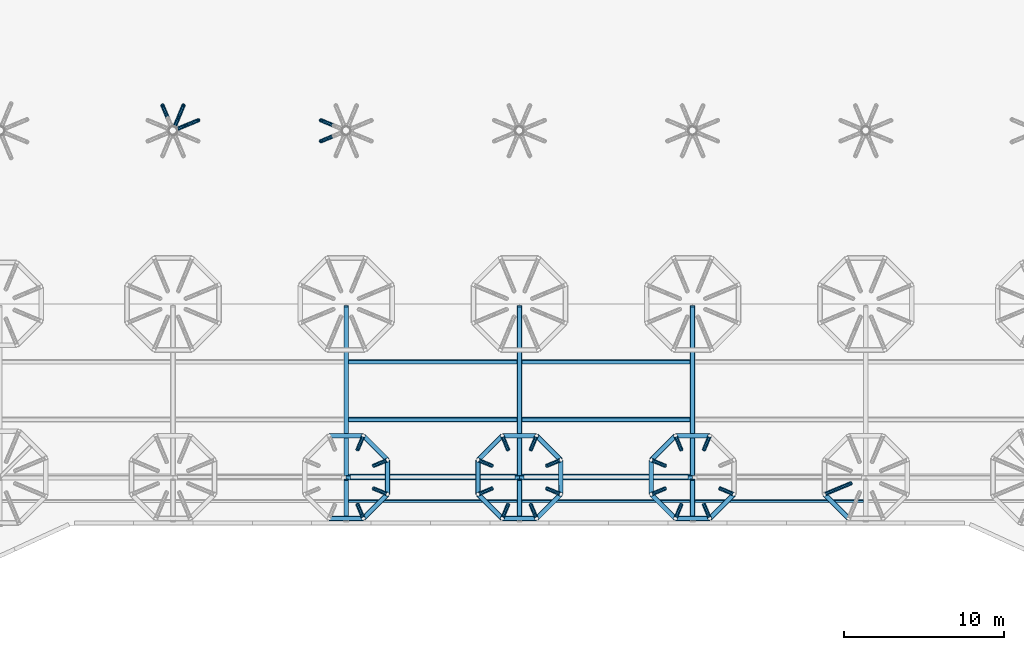
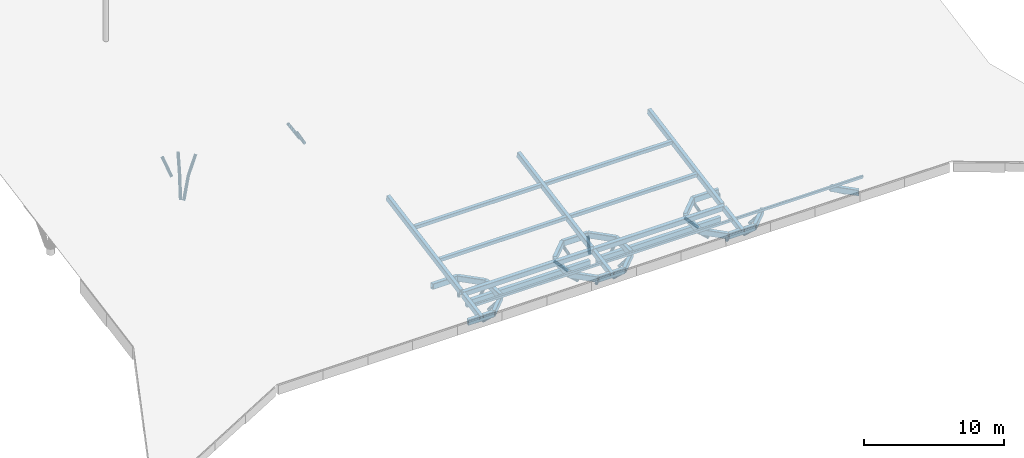
# One storey, part 8 of 56: 37 beams, 27 members.
"""IFC4 building model written with IfcOpenShell, lengths in metres."""

from ifc_helpers import new_model, si_unit, direction, frame, origin, origin_2d, place, context, subcontext, project, spatial, rectangle, hollow_rectangle, hollow_circle, extrude, clip, halfspace, material, material_profile, profile_set, type_object, element, save


model = new_model("IFC4")

# Units and contexts
model_context = context("Model", 3, precision=1e-05, world=origin(), true_north=direction((0.0, 1.0)))
body_context = subcontext(model_context, "Body", "Model", "MODEL_VIEW")
ifc_project = project(units=[si_unit("LENGTHUNIT", "METRE"), si_unit("AREAUNIT", "SQUARE_METRE"), si_unit("VOLUMEUNIT", "CUBIC_METRE"), si_unit("PLANEANGLEUNIT", "RADIAN"), si_unit("MASSUNIT", "GRAM", prefix="KILO")], contexts=[model_context])

# Site, building, storey
site_placement = place(None, origin())
site = spatial("IfcSite", under=ifc_project, at=site_placement, CompositionType="ELEMENT")
building_placement = place(site_placement, origin())
building = spatial("IfcBuilding", under=site, at=building_placement, Name="Magnolia Steps Interchange", CompositionType="ELEMENT")
storey_placement = place(building_placement, frame((0.0, 0.0, 8.699951171875)))
storey = spatial("IfcBuildingStorey", under=building, at=storey_placement, Name="L02", CompositionType="ELEMENT", Elevation=8.699951171875)

# Beams
ifc_material_1 = material(Name="Concrete C40", Category="concrete")
ifc_material_profile_1 = material_profile(ifc_material_1, rectangle(XDim=0.300048828125, YDim=0.550048828125, at=origin_2d()), Name="RC300x550")
ifc_profile_set_1 = profile_set([ifc_material_profile_1], Name="Concrete C40")
beam_type_1 = type_object("IfcBeamType", Name="Hall header sill beam 300x550", PredefinedType="BEAM", material=ifc_profile_set_1)
beam_1_placement = place(storey_placement, frame((75.080078125, 42.39990234375, 1.02392578125), z_axis=(1.0, 0.0, 0.0), x_axis=(0.0, 1.0, 0.0)))
element("IfcBeam", 1, at=beam_1_placement, inside=storey, type_object=beam_type_1, Name="Hall header sill beam S3", PredefinedType="BEAM", context=body_context, shape_type="SweptSolid", body=[
    extrude(rectangle(XDim=0.300048828125, YDim=0.550048828125, at=origin_2d()), origin(), (0.0, 0.0, 1.0), 10.239990234375),
])
beam_2_placement = place(storey_placement, frame((85.8798828125, 42.39990234375, 1.02392578125), z_axis=(1.0, 0.0, 0.0), x_axis=(0.0, 1.0, 0.0)))
element("IfcBeam", 2, at=beam_2_placement, inside=storey, type_object=beam_type_1, Name="Hall header sill beam S4", PredefinedType="BEAM", context=body_context, shape_type="SweptSolid", body=[
    extrude(rectangle(XDim=0.300048828125, YDim=0.550048828125, at=origin_2d()), origin(), (0.0, 0.0, 1.0), 10.240234375),
])
ifc_material_2 = material(Name="Steel Q355B", Category="steel")
ifc_material_profile_2 = material_profile(ifc_material_2, hollow_rectangle(XDim=0.300048828125, YDim=0.5, WallThickness=0.01611328125, InnerFilletRadius=0.01611328125, OuterFilletRadius=0.031982421875, at=origin_2d()), Name="RHS500x300x16")
ifc_profile_set_2 = profile_set([ifc_material_profile_2], Name="Steel Q355B")
beam_type_2 = type_object("IfcBeamType", Name="Ring beam RHS500x300x16", PredefinedType="BEAM", material=ifc_profile_set_2)
beam_3_placement = place(storey_placement, frame((77.3798828125, 43.46875, 1.44873046875), z_axis=(-0.707106781187, 0.707106781187, 0.0), x_axis=(-0.707106781187, -0.707106781187, 0.0)))
element("IfcBeam", 3, at=beam_3_placement, inside=storey, type_object=beam_type_2, Name="Ring beam TH03A", PredefinedType="BEAM", context=body_context, shape_type="Clipping", body=[
    clip(clip(extrude(hollow_rectangle(XDim=0.300048828125, YDim=0.5, WallThickness=0.01611328125, InnerFilletRadius=0.01611328125, OuterFilletRadius=0.031982421875, at=origin_2d()), origin(), (0.0, 0.0, 1.0), 2.13720703125), halfspace(frame((0.0, 0.0, 0.0), z_axis=(0.382683433, 0.0, -0.923879532), x_axis=(0.923879532, 0.0, 0.382683433)), False)), halfspace(frame((0.0, 0.0, 2.137202625), z_axis=(0.382683433, 0.0, 0.923879532), x_axis=(0.923879532, 0.0, -0.382683433)), False)),
])
for number, where, z_axis, x_axis, name in (
    (4, (75.86865234375, 44.97998046875, 1.44873046875), (-1.0, 0.0, 0.0), (0.0, -1.0, 0.0), "Ring beam TH03A"),
    (5, (73.731201171875, 39.820068359375, 1.44873046875), (1.0, 0.0, 0.0), (0.0, 1.0, 0.0), "Ring beam TH03A"),
):
    element("IfcBeam", number, at=place(storey_placement, frame(where, z_axis=z_axis, x_axis=x_axis)), inside=storey, type_object=beam_type_2, Name=name, PredefinedType="BEAM", context=body_context, shape_type="Clipping", body=[
        clip(clip(extrude(hollow_rectangle(XDim=0.300048828125, YDim=0.5, WallThickness=0.01611328125, InnerFilletRadius=0.01611328125, OuterFilletRadius=0.031982421875, at=origin_2d()), origin(), (0.0, 0.0, 1.0), 2.137451171875), halfspace(frame((0.0, 0.0, 0.0), z_axis=(0.382683432, 0.0, -0.923879533), x_axis=(0.923879533, 0.0, 0.382683432)), False)), halfspace(frame((0.0, 0.0, 2.137451172), z_axis=(0.382683432, 0.0, 0.923879533), x_axis=(0.923879533, 0.0, -0.382683432)), False)),
    ])
beam_4_placement = place(storey_placement, frame((75.86865234375, 39.820068359375, 1.44873046875), z_axis=(0.707106781187, 0.707106781187, 0.0), x_axis=(-0.707106781187, 0.707106781187, 0.0)))
element("IfcBeam", 6, at=beam_4_placement, inside=storey, type_object=beam_type_2, Name="Ring beam TH03A", PredefinedType="BEAM", context=body_context, shape_type="Clipping", body=[
    clip(clip(extrude(hollow_rectangle(XDim=0.300048828125, YDim=0.5, WallThickness=0.01611328125, InnerFilletRadius=0.01611328125, OuterFilletRadius=0.031982421875, at=origin_2d()), origin(), (0.0, 0.0, 1.0), 2.13720703125), halfspace(frame((0.0, 0.0, 0.0), z_axis=(0.382683433, 0.0, -0.923879532), x_axis=(0.923879532, 0.0, 0.382683433)), False)), halfspace(frame((0.0, 0.0, 2.137202625), z_axis=(0.382683433, 0.0, 0.923879532), x_axis=(0.923879532, 0.0, -0.382683433)), False)),
])
beam_5_placement = place(storey_placement, frame((77.3798828125, 41.331298828125, 1.44873046875), z_axis=(0.0, 1.0, 0.0), x_axis=(-1.0, 0.0, 0.0)))
element("IfcBeam", 7, at=beam_5_placement, inside=storey, type_object=beam_type_2, Name="Ring beam TH03A", PredefinedType="BEAM", context=body_context, shape_type="Clipping", body=[
    clip(clip(extrude(hollow_rectangle(XDim=0.300048828125, YDim=0.5, WallThickness=0.01611328125, InnerFilletRadius=0.01611328125, OuterFilletRadius=0.031982421875, at=origin_2d()), origin(), (0.0, 0.0, 1.0), 2.137451171875), halfspace(frame((0.0, 0.0, 0.0), z_axis=(0.382683432, 0.0, -0.923879533), x_axis=(0.923879533, 0.0, 0.382683432)), False)), halfspace(frame((0.0, 0.0, 2.137451172), z_axis=(0.382683432, 0.0, 0.923879533), x_axis=(0.923879533, 0.0, -0.382683432)), False)),
])
beam_6_placement = place(storey_placement, frame((88.179931640625, 43.46875, 1.44873046875), z_axis=(-0.707106781187, 0.707106781187, 0.0), x_axis=(-0.707106781187, -0.707106781187, 0.0)))
element("IfcBeam", 8, at=beam_6_placement, inside=storey, type_object=beam_type_2, Name="Ring beam TH04A", PredefinedType="BEAM", context=body_context, shape_type="Clipping", body=[
    clip(clip(extrude(hollow_rectangle(XDim=0.300048828125, YDim=0.5, WallThickness=0.01611328125, InnerFilletRadius=0.01611328125, OuterFilletRadius=0.031982421875, at=origin_2d()), origin(), (0.0, 0.0, 1.0), 2.13720703125), halfspace(frame((0.0, 0.0, 0.0), z_axis=(0.382683433, 0.0, -0.923879532), x_axis=(0.923879532, 0.0, 0.382683433)), False)), halfspace(frame((0.0, 0.0, 2.137202625), z_axis=(0.382683433, 0.0, 0.923879532), x_axis=(0.923879532, 0.0, -0.382683433)), False)),
])
beam_7_placement = place(storey_placement, frame((86.668701171875, 44.97998046875, 1.44873046875), z_axis=(-1.0, 0.0, 0.0), x_axis=(0.0, -1.0, 0.0)))
element("IfcBeam", 9, at=beam_7_placement, inside=storey, type_object=beam_type_2, Name="Ring beam TH04A", PredefinedType="BEAM", context=body_context, shape_type="Clipping", body=[
    clip(clip(extrude(hollow_rectangle(XDim=0.300048828125, YDim=0.5, WallThickness=0.01611328125, InnerFilletRadius=0.01611328125, OuterFilletRadius=0.031982421875, at=origin_2d()), origin(), (0.0, 0.0, 1.0), 2.137451171875), halfspace(frame((0.0, 0.0, 0.0), z_axis=(0.382683432, 0.0, -0.923879533), x_axis=(0.923879533, 0.0, 0.382683432)), False)), halfspace(frame((0.0, 0.0, 2.137451172), z_axis=(0.382683432, 0.0, 0.923879533), x_axis=(0.923879533, 0.0, -0.382683432)), False)),
])
beam_8_placement = place(storey_placement, frame((84.53125, 44.97998046875, 1.44873046875), z_axis=(-0.707106781187, -0.707106781187, 0.0), x_axis=(0.707106781187, -0.707106781187, 0.0)))
element("IfcBeam", 10, at=beam_8_placement, inside=storey, type_object=beam_type_2, Name="Ring beam TH04A", PredefinedType="BEAM", context=body_context, shape_type="Clipping", body=[
    clip(clip(extrude(hollow_rectangle(XDim=0.300048828125, YDim=0.5, WallThickness=0.01611328125, InnerFilletRadius=0.01611328125, OuterFilletRadius=0.031982421875, at=origin_2d()), origin(), (0.0, 0.0, 1.0), 2.13720703125), halfspace(frame((0.0, 0.0, 0.0), z_axis=(0.382683433, 0.0, -0.923879532), x_axis=(0.923879532, 0.0, 0.382683433)), False)), halfspace(frame((0.0, 0.0, 2.137202625), z_axis=(0.382683433, 0.0, 0.923879532), x_axis=(0.923879532, 0.0, -0.382683433)), False)),
])
beam_9_placement = place(storey_placement, frame((83.02001953125, 43.46875, 1.44873046875), z_axis=(0.0, -1.0, 0.0), x_axis=(1.0, 0.0, 0.0)))
element("IfcBeam", 11, at=beam_9_placement, inside=storey, type_object=beam_type_2, Name="Ring beam TH04A", PredefinedType="BEAM", context=body_context, shape_type="Clipping", body=[
    clip(clip(extrude(hollow_rectangle(XDim=0.300048828125, YDim=0.5, WallThickness=0.01611328125, InnerFilletRadius=0.01611328125, OuterFilletRadius=0.031982421875, at=origin_2d()), origin(), (0.0, 0.0, 1.0), 2.137451171875), halfspace(frame((0.0, 0.0, 0.0), z_axis=(0.382683432, 0.0, -0.923879533), x_axis=(0.923879533, 0.0, 0.382683432)), False)), halfspace(frame((0.0, 0.0, 2.137451172), z_axis=(0.382683432, 0.0, 0.923879533), x_axis=(0.923879533, 0.0, -0.382683432)), False)),
])
beam_10_placement = place(storey_placement, frame((83.02001953125, 41.331298828125, 1.44873046875), z_axis=(0.707106781187, -0.707106781187, 0.0), x_axis=(0.707106781187, 0.707106781187, 0.0)))
element("IfcBeam", 12, at=beam_10_placement, inside=storey, type_object=beam_type_2, Name="Ring beam TH04A", PredefinedType="BEAM", context=body_context, shape_type="Clipping", body=[
    clip(clip(extrude(hollow_rectangle(XDim=0.300048828125, YDim=0.5, WallThickness=0.01611328125, InnerFilletRadius=0.01611328125, OuterFilletRadius=0.031982421875, at=origin_2d()), origin(), (0.0, 0.0, 1.0), 2.13720703125), halfspace(frame((0.0, 0.0, 0.0), z_axis=(0.382683433, 0.0, -0.923879532), x_axis=(0.923879532, 0.0, 0.382683433)), False)), halfspace(frame((0.0, 0.0, 2.137202625), z_axis=(0.382683433, 0.0, 0.923879532), x_axis=(0.923879532, 0.0, -0.382683433)), False)),
])
beam_11_placement = place(storey_placement, frame((84.53125, 39.820068359375, 1.44873046875), z_axis=(1.0, 0.0, 0.0), x_axis=(0.0, 1.0, 0.0)))
element("IfcBeam", 13, at=beam_11_placement, inside=storey, type_object=beam_type_2, Name="Ring beam TH04A", PredefinedType="BEAM", context=body_context, shape_type="Clipping", body=[
    clip(clip(extrude(hollow_rectangle(XDim=0.300048828125, YDim=0.5, WallThickness=0.01611328125, InnerFilletRadius=0.01611328125, OuterFilletRadius=0.031982421875, at=origin_2d()), origin(), (0.0, 0.0, 1.0), 2.137451171875), halfspace(frame((0.0, 0.0, 0.0), z_axis=(0.382683432, 0.0, -0.923879533), x_axis=(0.923879533, 0.0, 0.382683432)), False)), halfspace(frame((0.0, 0.0, 2.137451172), z_axis=(0.382683432, 0.0, 0.923879533), x_axis=(0.923879533, 0.0, -0.382683432)), False)),
])
beam_12_placement = place(storey_placement, frame((86.668701171875, 39.820068359375, 1.44873046875), z_axis=(0.707106781187, 0.707106781187, 0.0), x_axis=(-0.707106781187, 0.707106781187, 0.0)))
element("IfcBeam", 14, at=beam_12_placement, inside=storey, type_object=beam_type_2, Name="Ring beam TH04A", PredefinedType="BEAM", context=body_context, shape_type="Clipping", body=[
    clip(clip(extrude(hollow_rectangle(XDim=0.300048828125, YDim=0.5, WallThickness=0.01611328125, InnerFilletRadius=0.01611328125, OuterFilletRadius=0.031982421875, at=origin_2d()), origin(), (0.0, 0.0, 1.0), 2.13720703125), halfspace(frame((0.0, 0.0, 0.0), z_axis=(0.382683433, 0.0, -0.923879532), x_axis=(0.923879532, 0.0, 0.382683433)), False)), halfspace(frame((0.0, 0.0, 2.137202625), z_axis=(0.382683433, 0.0, 0.923879532), x_axis=(0.923879532, 0.0, -0.382683433)), False)),
])
for number, where, z_axis, x_axis, name in (
    (15, (88.179931640625, 41.331298828125, 1.44873046875), (0.0, 1.0, 0.0), (-1.0, 0.0, 0.0), "Ring beam TH04A"),
    (16, (97.46875, 44.97998046875, 1.44873046875), (-1.0, 0.0, 0.0), (0.0, -1.0, 0.0), "Ring beam TH05A"),
):
    element("IfcBeam", number, at=place(storey_placement, frame(where, z_axis=z_axis, x_axis=x_axis)), inside=storey, type_object=beam_type_2, Name=name, PredefinedType="BEAM", context=body_context, shape_type="Clipping", body=[
        clip(clip(extrude(hollow_rectangle(XDim=0.300048828125, YDim=0.5, WallThickness=0.01611328125, InnerFilletRadius=0.01611328125, OuterFilletRadius=0.031982421875, at=origin_2d()), origin(), (0.0, 0.0, 1.0), 2.137451171875), halfspace(frame((0.0, 0.0, 0.0), z_axis=(0.382683432, 0.0, -0.923879533), x_axis=(0.923879533, 0.0, 0.382683432)), False)), halfspace(frame((0.0, 0.0, 2.137451172), z_axis=(0.382683432, 0.0, 0.923879533), x_axis=(0.923879533, 0.0, -0.382683432)), False)),
    ])
beam_13_placement = place(storey_placement, frame((95.331298828125, 44.97998046875, 1.44873046875), z_axis=(-0.707106781187, -0.707106781187, 0.0), x_axis=(0.707106781187, -0.707106781187, 0.0)))
element("IfcBeam", 17, at=beam_13_placement, inside=storey, type_object=beam_type_2, Name="Ring beam TH05A", PredefinedType="BEAM", context=body_context, shape_type="Clipping", body=[
    clip(clip(extrude(hollow_rectangle(XDim=0.300048828125, YDim=0.5, WallThickness=0.01611328125, InnerFilletRadius=0.01611328125, OuterFilletRadius=0.031982421875, at=origin_2d()), origin(), (0.0, 0.0, 1.0), 2.13720703125), halfspace(frame((0.0, 0.0, 0.0), z_axis=(0.382683433, 0.0, -0.923879532), x_axis=(0.923879532, 0.0, 0.382683433)), False)), halfspace(frame((0.0, 0.0, 2.137202625), z_axis=(0.382683433, 0.0, 0.923879532), x_axis=(0.923879532, 0.0, -0.382683433)), False)),
])
beam_14_placement = place(storey_placement, frame((93.820068359375, 43.46875, 1.44873046875), z_axis=(0.0, -1.0, 0.0), x_axis=(1.0, 0.0, 0.0)))
element("IfcBeam", 18, at=beam_14_placement, inside=storey, type_object=beam_type_2, Name="Ring beam TH05A", PredefinedType="BEAM", context=body_context, shape_type="Clipping", body=[
    clip(clip(extrude(hollow_rectangle(XDim=0.300048828125, YDim=0.5, WallThickness=0.01611328125, InnerFilletRadius=0.01611328125, OuterFilletRadius=0.031982421875, at=origin_2d()), origin(), (0.0, 0.0, 1.0), 2.137451171875), halfspace(frame((0.0, 0.0, 0.0), z_axis=(0.382683432, 0.0, -0.923879533), x_axis=(0.923879533, 0.0, 0.382683432)), False)), halfspace(frame((0.0, 0.0, 2.137451172), z_axis=(0.382683432, 0.0, 0.923879533), x_axis=(0.923879533, 0.0, -0.382683432)), False)),
])
beam_15_placement = place(storey_placement, frame((93.820068359375, 41.331298828125, 1.44873046875), z_axis=(0.707106781187, -0.707106781187, 0.0), x_axis=(0.707106781187, 0.707106781187, 0.0)))
element("IfcBeam", 19, at=beam_15_placement, inside=storey, type_object=beam_type_2, Name="Ring beam TH05A", PredefinedType="BEAM", context=body_context, shape_type="Clipping", body=[
    clip(clip(extrude(hollow_rectangle(XDim=0.300048828125, YDim=0.5, WallThickness=0.01611328125, InnerFilletRadius=0.01611328125, OuterFilletRadius=0.031982421875, at=origin_2d()), origin(), (0.0, 0.0, 1.0), 2.13720703125), halfspace(frame((0.0, 0.0, 0.0), z_axis=(0.382683433, 0.0, -0.923879532), x_axis=(0.923879532, 0.0, 0.382683433)), False)), halfspace(frame((0.0, 0.0, 2.137202625), z_axis=(0.382683433, 0.0, 0.923879532), x_axis=(0.923879532, 0.0, -0.382683433)), False)),
])
beam_16_placement = place(storey_placement, frame((95.331298828125, 39.820068359375, 1.44873046875), z_axis=(1.0, 0.0, 0.0), x_axis=(0.0, 1.0, 0.0)))
element("IfcBeam", 20, at=beam_16_placement, inside=storey, type_object=beam_type_2, Name="Ring beam TH05A", PredefinedType="BEAM", context=body_context, shape_type="Clipping", body=[
    clip(clip(extrude(hollow_rectangle(XDim=0.300048828125, YDim=0.5, WallThickness=0.01611328125, InnerFilletRadius=0.01611328125, OuterFilletRadius=0.031982421875, at=origin_2d()), origin(), (0.0, 0.0, 1.0), 2.137451171875), halfspace(frame((0.0, 0.0, 0.0), z_axis=(0.382683432, 0.0, -0.923879533), x_axis=(0.923879533, 0.0, 0.382683432)), False)), halfspace(frame((0.0, 0.0, 2.137451172), z_axis=(0.382683432, 0.0, 0.923879533), x_axis=(0.923879533, 0.0, -0.382683432)), False)),
])
for number, where, z_axis, x_axis, name in (
    (21, (97.46875, 39.820068359375, 1.44873046875), (0.707106781187, 0.707106781187, 0.0), (-0.707106781187, 0.707106781187, 0.0), "Ring beam TH05A"),
    (22, (104.6201171875, 41.331298828125, 1.44873046875), (0.707106781187, -0.707106781187, 0.0), (0.707106781187, 0.707106781187, 0.0), "Ring beam TH06A"),
):
    element("IfcBeam", number, at=place(storey_placement, frame(where, z_axis=z_axis, x_axis=x_axis)), inside=storey, type_object=beam_type_2, Name=name, PredefinedType="BEAM", context=body_context, shape_type="Clipping", body=[
        clip(clip(extrude(hollow_rectangle(XDim=0.300048828125, YDim=0.5, WallThickness=0.01611328125, InnerFilletRadius=0.01611328125, OuterFilletRadius=0.031982421875, at=origin_2d()), origin(), (0.0, 0.0, 1.0), 2.13720703125), halfspace(frame((0.0, 0.0, 0.0), z_axis=(0.382683433, 0.0, -0.923879532), x_axis=(0.923879532, 0.0, 0.382683433)), False)), halfspace(frame((0.0, 0.0, 2.137202625), z_axis=(0.382683433, 0.0, 0.923879532), x_axis=(0.923879532, 0.0, -0.382683433)), False)),
    ])
ifc_material_3 = material(Name="Steel Q355B", Category="steel")
ifc_material_profile_3 = material_profile(ifc_material_3, hollow_rectangle(XDim=0.300048828125, YDim=0.5, WallThickness=0.01611328125, InnerFilletRadius=0.01611328125, OuterFilletRadius=0.031982421875, at=origin_2d()), Name="RHS500x300x16")
ifc_profile_set_3 = profile_set([ifc_material_profile_3], Name="Steel Q355B")
beam_type_3 = type_object("IfcBeamType", Name="Roof beam RHS500x300x16", PredefinedType="BEAM", material=ifc_profile_set_3)
beam_17_placement = place(storey_placement, frame((74.800048828125, 42.39990234375, 1.9931640625), z_axis=(1.0, 0.0, 0.0), x_axis=(0.0, 0.98367737698, 0.17994115154)))
element("IfcBeam", 23, at=beam_17_placement, inside=storey, type_object=beam_type_3, Name="Roof beam", PredefinedType="BEAM", context=body_context, shape_type="SweptSolid", body=[
    extrude(hollow_rectangle(XDim=0.300048828125, YDim=0.5, WallThickness=0.01611328125, InnerFilletRadius=0.01611328125, OuterFilletRadius=0.031982421875, at=origin_2d()), origin(), (0.0, 0.0, 1.0), 10.800048828125),
])
beam_18_placement = place(storey_placement, frame((85.60009765625, 42.39990234375, 1.9931640625), z_axis=(1.0, 0.0, 0.0), x_axis=(0.0, 0.98367737698, 0.17994115154)))
element("IfcBeam", 24, at=beam_18_placement, inside=storey, type_object=beam_type_3, Name="Roof beam", PredefinedType="BEAM", context=body_context, shape_type="SweptSolid", body=[
    extrude(hollow_rectangle(XDim=0.300048828125, YDim=0.5, WallThickness=0.01611328125, InnerFilletRadius=0.01611328125, OuterFilletRadius=0.031982421875, at=origin_2d()), origin(), (0.0, 0.0, 1.0), 10.7998046875),
])
beam_19_placement = place(storey_placement, frame((74.800048828125, 42.550048828125, 2.0205078125), z_axis=(0.0, 0.983678690331, 0.179933971746), x_axis=(-1.0, 0.0, 0.0)))
element("IfcBeam", 25, at=beam_19_placement, inside=storey, type_object=beam_type_3, Name="Roof beam", PredefinedType="BEAM", context=body_context, shape_type="SweptSolid", body=[
    extrude(hollow_rectangle(XDim=0.300048828125, YDim=0.5, WallThickness=0.01611328125, InnerFilletRadius=0.01611328125, OuterFilletRadius=0.031982421875, at=origin_2d()), origin(), (0.0, 0.0, 1.0), 10.67431640625),
])
beam_20_placement = place(storey_placement, frame((74.800048828125, 42.25, 1.965576171875), z_axis=(0.0, -0.983688413027, -0.179880810752), x_axis=(1.0, 0.0, 0.0)))
element("IfcBeam", 26, at=beam_20_placement, inside=storey, type_object=beam_type_3, Name="Roof beam", PredefinedType="BEAM", context=body_context, shape_type="SweptSolid", body=[
    extrude(hollow_rectangle(XDim=0.300048828125, YDim=0.5, WallThickness=0.01611328125, InnerFilletRadius=0.01611328125, OuterFilletRadius=0.031982421875, at=origin_2d()), origin(), (0.0, 0.0, 1.0), 2.633056640625),
])
beam_21_placement = place(storey_placement, frame((85.60009765625, 42.550048828125, 2.0205078125), z_axis=(0.0, 0.983678690331, 0.179933971746), x_axis=(-1.0, 0.0, 0.0)))
element("IfcBeam", 27, at=beam_21_placement, inside=storey, type_object=beam_type_3, Name="Roof beam", PredefinedType="BEAM", context=body_context, shape_type="SweptSolid", body=[
    extrude(hollow_rectangle(XDim=0.300048828125, YDim=0.5, WallThickness=0.01611328125, InnerFilletRadius=0.01611328125, OuterFilletRadius=0.031982421875, at=origin_2d()), origin(), (0.0, 0.0, 1.0), 10.67431640625),
])
beam_22_placement = place(storey_placement, frame((85.60009765625, 42.25, 1.965576171875), z_axis=(0.0, -0.983688413027, -0.179880810752), x_axis=(1.0, 0.0, 0.0)))
element("IfcBeam", 28, at=beam_22_placement, inside=storey, type_object=beam_type_3, Name="Roof beam", PredefinedType="BEAM", context=body_context, shape_type="SweptSolid", body=[
    extrude(hollow_rectangle(XDim=0.300048828125, YDim=0.5, WallThickness=0.01611328125, InnerFilletRadius=0.01611328125, OuterFilletRadius=0.031982421875, at=origin_2d()), origin(), (0.0, 0.0, 1.0), 2.633056640625),
])
beam_23_placement = place(storey_placement, frame((96.39990234375, 42.550048828125, 2.0205078125), z_axis=(0.0, 0.983678690331, 0.179933971746), x_axis=(-1.0, 0.0, 0.0)))
element("IfcBeam", 29, at=beam_23_placement, inside=storey, type_object=beam_type_3, Name="Roof beam", PredefinedType="BEAM", context=body_context, shape_type="SweptSolid", body=[
    extrude(hollow_rectangle(XDim=0.300048828125, YDim=0.5, WallThickness=0.01611328125, InnerFilletRadius=0.01611328125, OuterFilletRadius=0.031982421875, at=origin_2d()), origin(), (0.0, 0.0, 1.0), 10.67431640625),
])
beam_24_placement = place(storey_placement, frame((96.39990234375, 42.25, 1.965576171875), z_axis=(0.0, -0.983688413027, -0.179880810752), x_axis=(1.0, 0.0, 0.0)))
element("IfcBeam", 30, at=beam_24_placement, inside=storey, type_object=beam_type_3, Name="Roof beam", PredefinedType="BEAM", context=body_context, shape_type="SweptSolid", body=[
    extrude(hollow_rectangle(XDim=0.300048828125, YDim=0.5, WallThickness=0.01611328125, InnerFilletRadius=0.01611328125, OuterFilletRadius=0.031982421875, at=origin_2d()), origin(), (0.0, 0.0, 1.0), 2.633056640625),
])
ifc_material_4 = material(Name="Steel Q355B", Category="steel")
ifc_material_profile_4 = material_profile(ifc_material_4, hollow_rectangle(XDim=0.14990234375, YDim=0.25, WallThickness=0.008056640625, InnerFilletRadius=0.008056640625, OuterFilletRadius=0.01611328125, at=origin_2d()), Name="RHS250x150x8")
ifc_profile_set_4 = profile_set([ifc_material_profile_4], Name="Steel Q355B")
beam_type_4 = type_object("IfcBeamType", Name="Roof edge joist RHS250x150x8", PredefinedType="BEAM", material=ifc_profile_set_4)
for number, where, z_axis, x_axis, name in (
    (31, (74.949951171875, 40.89990234375, 1.845703125), (1.0, 0.0, 0.0), (0.0, 0.98367737698, 0.17994115154), "Roof edge joist"),
    (32, (85.75, 40.89990234375, 1.845703125), (1.0, 0.0, 0.0), (0.0, 0.98367737698, 0.17994115154), "Roof edge joist"),
    (33, (96.550048828125, 40.89990234375, 1.845703125), (1.0, 0.0, 0.0), (0.0, 0.98367737698, 0.17994115154), "Roof edge joist"),
):
    element("IfcBeam", number, at=place(storey_placement, frame(where, z_axis=z_axis, x_axis=x_axis)), inside=storey, type_object=beam_type_4, Name=name, PredefinedType="BEAM", context=body_context, shape_type="SweptSolid", body=[
        extrude(hollow_rectangle(XDim=0.14990234375, YDim=0.25, WallThickness=0.008056640625, InnerFilletRadius=0.008056640625, OuterFilletRadius=0.01611328125, at=origin_2d()), origin(), (0.0, 0.0, 1.0), 10.5),
    ])
ifc_material_5 = material(Name="Steel Q355B", Category="steel")
ifc_material_profile_5 = material_profile(ifc_material_5, hollow_rectangle(XDim=0.25, YDim=0.35009765625, WallThickness=0.011962890625, InnerFilletRadius=0.011962890625, OuterFilletRadius=0.02392578125, at=origin_2d()), Name="RHS350x250x12")
ifc_profile_set_5 = profile_set([ifc_material_profile_5], Name="Steel Q355B")
beam_type_5 = type_object("IfcBeamType", Name="Roof joist RHS350x250x12", PredefinedType="BEAM", material=ifc_profile_set_5)
for number, where, z_axis, x_axis, name in (
    (34, (74.949951171875, 46.0, 2.727783203125), (1.0, 0.0, 0.0), (0.0, 0.98367737698, 0.17994115154), "Roof joist"),
    (35, (85.75, 46.0, 2.727783203125), (1.0, 0.0, 0.0), (0.0, 0.98367737698, 0.17994115154), "Roof joist"),
    (36, (74.949951171875, 49.60009765625, 3.38623046875), (1.0, 0.0, 0.0), (0.0, 0.98367737698, 0.17994115154), "Roof joist"),
    (37, (85.75, 49.60009765625, 3.38623046875), (1.0, 0.0, 0.0), (0.0, 0.98367737698, 0.17994115154), "Roof joist"),
):
    element("IfcBeam", number, at=place(storey_placement, frame(where, z_axis=z_axis, x_axis=x_axis)), inside=storey, type_object=beam_type_5, Name=name, PredefinedType="BEAM", context=body_context, shape_type="SweptSolid", body=[
        extrude(hollow_rectangle(XDim=0.25, YDim=0.35009765625, WallThickness=0.011962890625, InnerFilletRadius=0.011962890625, OuterFilletRadius=0.02392578125, at=origin_2d()), origin(), (0.0, 0.0, 1.0), 10.5),
    ])

# Members
ifc_material_6 = material(Name="Steel Q355B", Category="steel")
ifc_material_profile_6 = material_profile(ifc_material_6, hollow_circle(Radius=0.12255859375, WallThickness=0.011962890625, at=origin_2d()), Name="CHS245x12")
ifc_profile_set_6 = profile_set([ifc_material_profile_6], Name="Steel Q355B")
member_type = type_object("IfcMemberType", Name="Tree rib CHS245x12", PredefinedType="USERDEFINED", material=ifc_profile_set_6)
member_1_placement = place(storey_placement, frame((64.295166015625, 64.122314453125, 0.670166015625), z_axis=(0.254676188738, 0.105465608268, 0.961258052951), x_axis=(-0.382606875641, 0.923911239629, 0.0)))
element("IfcMember", 38, at=member_1_placement, inside=storey, type_object=member_type, Name="Tree rib TH02C", ObjectType="TREE RIB", PredefinedType="USERDEFINED", context=body_context, shape_type="SweptSolid", body=[
    extrude(hollow_circle(Radius=0.12255859375, WallThickness=0.011962890625, at=origin_2d()), origin(), (0.0, 0.0, 1.0), 1.942138671875),
])
member_2_placement = place(storey_placement, frame((64.789794921875, 64.3271484375, 2.537109375), z_axis=(0.489571014481, 0.202820124805, 0.848047297475), x_axis=(-0.382736860682, 0.923857399968, 0.0)))
element("IfcMember", 39, at=member_2_placement, inside=storey, type_object=member_type, Name="Tree rib TH02C", ObjectType="TREE RIB", PredefinedType="USERDEFINED", context=body_context, shape_type="SweptSolid", body=[
    extrude(hollow_circle(Radius=0.12255859375, WallThickness=0.011962890625, at=origin_2d()), origin(), (0.0, 0.0, 1.0), 1.6201171875),
])
member_3_placement = place(storey_placement, frame((64.122314453125, 64.295166015625, 0.670166015625), z_axis=(0.105465608268, 0.254676188738, 0.961258052951), x_axis=(-0.923911239629, 0.382606875641, 0.0)))
element("IfcMember", 40, at=member_3_placement, inside=storey, type_object=member_type, Name="Tree rib TH02C", ObjectType="TREE RIB", PredefinedType="USERDEFINED", context=body_context, shape_type="SweptSolid", body=[
    extrude(hollow_circle(Radius=0.12255859375, WallThickness=0.011962890625, at=origin_2d()), origin(), (0.0, 0.0, 1.0), 1.942138671875),
])
for number, where, z_axis, x_axis, name in (
    (41, (64.3271484375, 64.789794921875, 2.537109375), (0.202820124805, 0.489571014481, 0.848047297475), (-0.923857399968, 0.382736860682, 0.0), "Tree rib TH02C"),
    (42, (63.6728515625, 64.789794921875, 2.537109375), (-0.202820124805, 0.489571014481, 0.848047297475), (-0.923857399968, -0.382736860682, 0.0), "Tree rib TH02C"),
):
    element("IfcMember", number, at=place(storey_placement, frame(where, z_axis=z_axis, x_axis=x_axis)), inside=storey, type_object=member_type, Name=name, ObjectType="TREE RIB", PredefinedType="USERDEFINED", context=body_context, shape_type="SweptSolid", body=[
        extrude(hollow_circle(Radius=0.12255859375, WallThickness=0.011962890625, at=origin_2d()), origin(), (0.0, 0.0, 1.0), 1.6201171875),
    ])
for number, where, z_axis, x_axis, name in (
    (43, (76.505126953125, 43.106201171875, 0.384521484375), (0.664566115613, 0.275434184115, 0.694613481153), (-0.382875502946, 0.923799950879, 0.0), "Tree rib TH03A"),
    (44, (75.50634765625, 44.105224609375, 0.384521484375), (0.275262764485, 0.664600057379, 0.694648957546), (-0.92389112775, 0.382655437784, 0.0), "Tree rib TH03A"),
    (45, (75.50634765625, 40.69482421875, 0.384521484375), (0.275262764485, -0.664600057379, 0.694648957546), (0.92389112775, 0.382655437784, 0.0), "Tree rib TH03A"),
    (46, (76.505126953125, 41.693603515625, 0.384521484375), (0.664600057379, -0.275262764485, 0.694648957546), (0.382655437784, 0.92389112775, 0.0), "Tree rib TH03A"),
):
    element("IfcMember", number, at=place(storey_placement, frame(where, z_axis=z_axis, x_axis=x_axis)), inside=storey, type_object=member_type, Name=name, ObjectType="TREE RIB", PredefinedType="USERDEFINED", context=body_context, shape_type="SweptSolid", body=[
        extrude(hollow_circle(Radius=0.12255859375, WallThickness=0.011962890625, at=origin_2d()), origin(), (0.0, 0.0, 1.0), 1.316162109375),
    ])
for number, where, z_axis, x_axis, name in (
    (47, (74.01025390625, 64.3271484375, 2.537109375), (-0.489571014481, 0.202820124805, 0.848047297475), (-0.382736860682, -0.923857399968, 0.0), "Tree rib TH03C"),
    (48, (74.01025390625, 63.6728515625, 2.537109375), (-0.489571014481, -0.202820124805, 0.848047297475), (0.382736860682, -0.923857399968, 0.0), "Tree rib TH03C"),
):
    element("IfcMember", number, at=place(storey_placement, frame(where, z_axis=z_axis, x_axis=x_axis)), inside=storey, type_object=member_type, Name=name, ObjectType="TREE RIB", PredefinedType="USERDEFINED", context=body_context, shape_type="SweptSolid", body=[
        extrude(hollow_circle(Radius=0.12255859375, WallThickness=0.011962890625, at=origin_2d()), origin(), (0.0, 0.0, 1.0), 1.6201171875),
    ])
for number, where, z_axis, x_axis, name in (
    (49, (87.30517578125, 43.106201171875, 0.384521484375), (0.664566115613, 0.275434184115, 0.694613481153), (-0.382875502946, 0.923799950879, 0.0), "Tree rib TH04A"),
    (50, (86.306396484375, 44.105224609375, 0.384521484375), (0.275262764485, 0.664600057379, 0.694648957546), (-0.92389112775, 0.382655437784, 0.0), "Tree rib TH04A"),
    (51, (84.893798828125, 44.105224609375, 0.384521484375), (-0.275434184115, 0.664566115613, 0.694613481153), (-0.923799950879, -0.382875502946, 0.0), "Tree rib TH04A"),
    (52, (83.894775390625, 43.106201171875, 0.384521484375), (-0.664566115613, 0.275434184115, 0.694613481153), (-0.382875502946, -0.923799950879, 0.0), "Tree rib TH04A"),
    (53, (83.894775390625, 41.693603515625, 0.384521484375), (-0.664600057379, -0.275262764485, 0.694648957546), (0.382655437784, -0.92389112775, 0.0), "Tree rib TH04A"),
    (54, (84.893798828125, 40.69482421875, 0.384521484375), (-0.275434184115, -0.664566115613, 0.694613481153), (0.923799950879, -0.382875502946, 0.0), "Tree rib TH04A"),
    (55, (86.306396484375, 40.69482421875, 0.384521484375), (0.275262764485, -0.664600057379, 0.694648957546), (0.92389112775, 0.382655437784, 0.0), "Tree rib TH04A"),
    (56, (87.30517578125, 41.693603515625, 0.384521484375), (0.664600057379, -0.275262764485, 0.694648957546), (0.382655437784, 0.92389112775, 0.0), "Tree rib TH04A"),
    (57, (97.106201171875, 44.105224609375, 0.384521484375), (0.275434184115, 0.664566115613, 0.694613481153), (-0.923799950879, 0.382875502946, 0.0), "Tree rib TH05A"),
    (58, (95.693603515625, 44.105224609375, 0.384521484375), (-0.275262764485, 0.664600057379, 0.694648957546), (-0.92389112775, -0.382655437784, 0.0), "Tree rib TH05A"),
    (59, (94.69482421875, 43.106201171875, 0.384521484375), (-0.664566115613, 0.275434184115, 0.694613481153), (-0.382875502946, -0.923799950879, 0.0), "Tree rib TH05A"),
    (60, (94.69482421875, 41.693603515625, 0.384521484375), (-0.664600057379, -0.275262764485, 0.694648957546), (0.382655437784, -0.92389112775, 0.0), "Tree rib TH05A"),
    (61, (95.693603515625, 40.69482421875, 0.384521484375), (-0.275262764485, -0.664600057379, 0.694648957546), (0.92389112775, -0.382655437784, 0.0), "Tree rib TH05A"),
    (62, (97.106201171875, 40.69482421875, 0.384521484375), (0.275434184115, -0.664566115613, 0.694613481153), (0.923799950879, 0.382875502946, 0.0), "Tree rib TH05A"),
    (63, (98.105224609375, 41.693603515625, 0.384521484375), (0.664600057379, -0.275262764485, 0.694648957546), (0.382655437784, 0.92389112775, 0.0), "Tree rib TH05A"),
):
    element("IfcMember", number, at=place(storey_placement, frame(where, z_axis=z_axis, x_axis=x_axis)), inside=storey, type_object=member_type, Name=name, ObjectType="TREE RIB", PredefinedType="USERDEFINED", context=body_context, shape_type="SweptSolid", body=[
        extrude(hollow_circle(Radius=0.12255859375, WallThickness=0.011962890625, at=origin_2d()), origin(), (0.0, 0.0, 1.0), 1.316162109375),
    ])
member_4_placement = place(storey_placement, frame((106.2783203125, 42.018310546875, 0.00048828125), z_axis=(-0.748541743184, -0.310129043775, 0.586093196445), x_axis=(0.382760229587, -0.923847718321, 0.0)))
element("IfcMember", 64, at=member_4_placement, inside=storey, type_object=member_type, Name="Tree rib TH06A", ObjectType="TREE RIB", PredefinedType="USERDEFINED", context=body_context, shape_type="SweptSolid", body=[
    extrude(hollow_circle(Radius=0.12255859375, WallThickness=0.011962890625, at=origin_2d()), origin(), (0.0, 0.0, 1.0), 2.21533203125),
])

save(model, "model.ifc")
